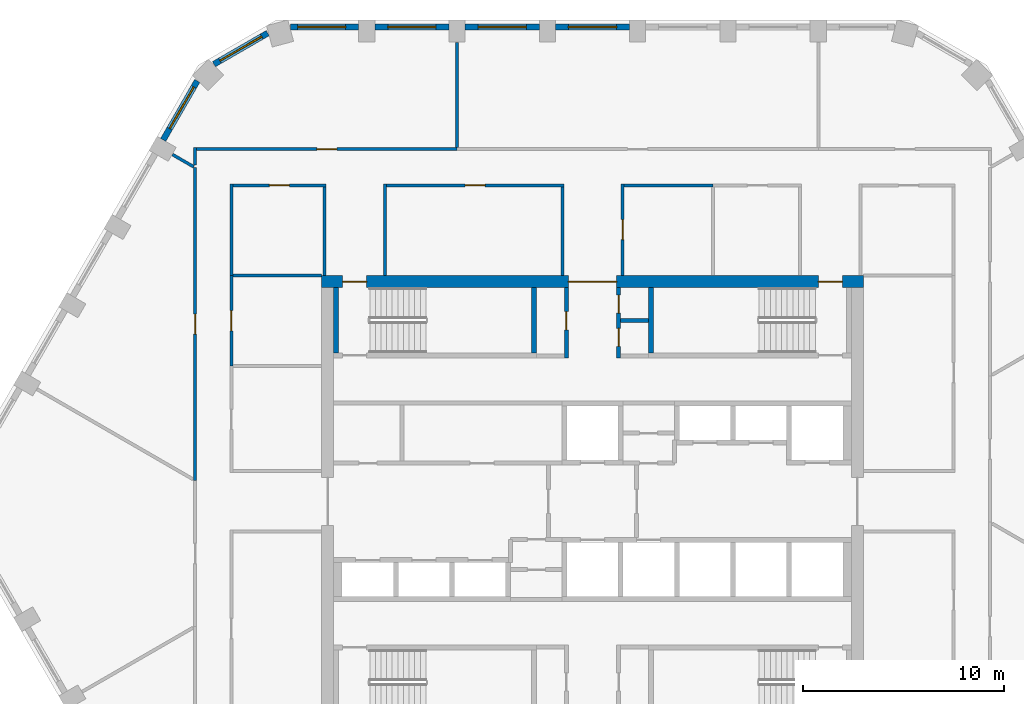
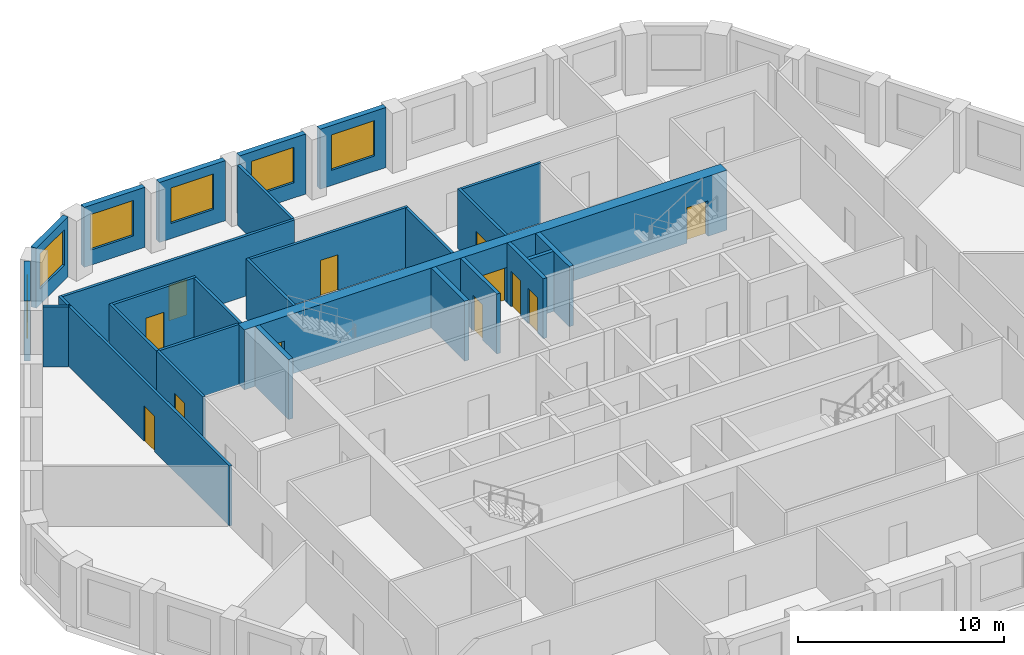
# One storey, part 6 of 9: 28 walls, 12 doors, 6 windows, 18 openings.
"""IFC4 building model written with IfcOpenShell, lengths in metres."""

from ifc_helpers import new_model, si_unit, direction, frame, frame_2d, origin, place, context, subcontext, project, spatial, rectangle, extrude, material, layer, layer_set, type_object, element, fill, save


model = new_model("IFC4")

# Units and contexts
model_context = context("Model", 3, precision=1e-05, world=origin(), true_north=direction((0.0, 1.0)))
body_context = subcontext(model_context, "Body", "Model", "MODEL_VIEW")
ifc_project = project(units=[si_unit("LENGTHUNIT", "METRE"), si_unit("AREAUNIT", "SQUARE_METRE"), si_unit("VOLUMEUNIT", "CUBIC_METRE"), si_unit("PLANEANGLEUNIT", "RADIAN"), si_unit("MASSUNIT", "GRAM", prefix="KILO")], contexts=[model_context])

# Site, building, storey
site_placement = place(None, origin())
site = spatial("IfcSite", under=ifc_project, at=site_placement, CompositionType="ELEMENT")
building_placement = place(site_placement, origin())
building = spatial("IfcBuilding", under=site, at=building_placement, Name="Dhurran Vertical Campus", CompositionType="ELEMENT")
storey_placement = place(building_placement, frame((0.0, 0.0, 195.60009765625)))
storey = spatial("IfcBuildingStorey", under=building, at=storey_placement, Name="L48", CompositionType="ELEMENT", Elevation=195.60009765625)

# Wall, opening, window
ifc_material_1 = material(Name="Precast concrete C50/60", Category="concrete")
ifc_layer_1 = layer(ifc_material_1, 0.300048828125)
ifc_layer_set_1 = layer_set([ifc_layer_1], Name="Precast concrete C50/60")
wall_type_1 = type_object("IfcWallType", Name="Precast spandrel wall 300", PredefinedType="SOLIDWALL", material=ifc_layer_set_1)
wall_1_placement = place(storey_placement, frame((1.849609375, 23.635498046875, 0.0), z_axis=(0.0, 0.0, 1.0), x_axis=(-1.0, 0.0, 0.0)))
wall_1 = element("IfcWall", 1, at=wall_1_placement, inside=storey, type_object=wall_type_1, Name="EW1 L48.23", PredefinedType="SOLIDWALL", context=body_context, shape_type="SweptSolid", body=[
    extrude(rectangle(XDim=3.69921875, YDim=0.300048828125, at=frame_2d((1.849609375, 0.0))), origin(), (0.0, 0.0, 1.0), 3.5498046875),
])
opening_1_placement = place(wall_1_placement, frame((0.6494140625, 0.0, 0.89990234375)))
opening_1 = element("IfcOpeningElement", 2, at=opening_1_placement, cuts=wall_1, Name="Opening WT1", PredefinedType="OPENING", context=body_context, shape_type="SweptSolid", body=[
    extrude(rectangle(XDim=2.39990234375, YDim=2.10009765625, at=frame_2d((1.199951171875, 1.050048828125))), frame((0.0, 0.159912109375, 0.0), z_axis=(0.0, -1.0, 0.0), x_axis=(1.0, 0.0, 0.0)), (0.0, 0.0, 1.0), 0.320068359375),
])
ifc_material_2 = material(Name="Aluminium frame with solar-control glass", Category="aluminium")
window_type = type_object("IfcWindowType", Name="Punched window 2400 x 2100", PartitioningType="SINGLE_PANEL", PredefinedType="WINDOW", material=ifc_material_2)
window_1_placement = place(opening_1_placement, origin())
window_1 = element("IfcWindow", 3, at=window_1_placement, inside=storey, type_object=window_type, Name="WT1 L48.23", OverallHeight=2.10009765625, OverallWidth=2.39990234375, PartitioningType="SINGLE_PANEL", PredefinedType="WINDOW", context=body_context, shape_type="SweptSolid", body=[
    extrude(rectangle(XDim=2.39990234375, YDim=2.10009765625, at=frame_2d((1.199951171875, 1.050048828125))), frame((0.0, 0.030029296875, 0.0), z_axis=(0.0, -1.0, 0.0), x_axis=(1.0, 0.0, 0.0)), (0.0, 0.0, 1.0), 0.06005859375),
])
fill(opening_1, window_1)

wall_2_placement = place(storey_placement, frame((-2.650390625, 23.635498046875, 0.0), z_axis=(0.0, 0.0, 1.0), x_axis=(-1.0, 0.0, 0.0)))
wall_2 = element("IfcWall", 4, at=wall_2_placement, inside=storey, type_object=wall_type_1, Name="EW1 L48.24", PredefinedType="SOLIDWALL", context=body_context, shape_type="SweptSolid", body=[
    extrude(rectangle(XDim=3.69921875, YDim=0.300048828125, at=frame_2d((1.849609375, 0.0))), origin(), (0.0, 0.0, 1.0), 3.5498046875),
])
opening_2_placement = place(wall_2_placement, frame((0.6494140625, 0.0, 0.89990234375)))
opening_2 = element("IfcOpeningElement", 5, at=opening_2_placement, cuts=wall_2, Name="Opening WT1", PredefinedType="OPENING", context=body_context, shape_type="SweptSolid", body=[
    extrude(rectangle(XDim=2.39990234375, YDim=2.10009765625, at=frame_2d((1.199951171875, 1.050048828125))), frame((0.0, 0.159912109375, 0.0), z_axis=(0.0, -1.0, 0.0), x_axis=(1.0, 0.0, 0.0)), (0.0, 0.0, 1.0), 0.320068359375),
])
window_2_placement = place(opening_2_placement, origin())
window_2 = element("IfcWindow", 6, at=window_2_placement, inside=storey, type_object=window_type, Name="WT1 L48.24", OverallHeight=2.10009765625, OverallWidth=2.39990234375, PartitioningType="SINGLE_PANEL", PredefinedType="WINDOW", context=body_context, shape_type="SweptSolid", body=[
    extrude(rectangle(XDim=2.39990234375, YDim=2.10009765625, at=frame_2d((1.199951171875, 1.050048828125))), frame((0.0, 0.030029296875, 0.0), z_axis=(0.0, -1.0, 0.0), x_axis=(1.0, 0.0, 0.0)), (0.0, 0.0, 1.0), 0.06005859375),
])
fill(opening_2, window_2)

wall_3_placement = place(storey_placement, frame((-7.150390625, 23.635498046875, 0.0), z_axis=(0.0, 0.0, 1.0), x_axis=(-1.0, 0.0, 0.0)))
wall_3 = element("IfcWall", 7, at=wall_3_placement, inside=storey, type_object=wall_type_1, Name="EW1 L48.25", PredefinedType="SOLIDWALL", context=body_context, shape_type="SweptSolid", body=[
    extrude(rectangle(XDim=3.69921875, YDim=0.300048828125, at=frame_2d((1.849609375, 0.0))), origin(), (0.0, 0.0, 1.0), 3.5498046875),
])
opening_3_placement = place(wall_3_placement, frame((0.6494140625, 0.0, 0.89990234375)))
opening_3 = element("IfcOpeningElement", 8, at=opening_3_placement, cuts=wall_3, Name="Opening WT1", PredefinedType="OPENING", context=body_context, shape_type="SweptSolid", body=[
    extrude(rectangle(XDim=2.39990234375, YDim=2.10009765625, at=frame_2d((1.199951171875, 1.050048828125))), frame((0.0, 0.159912109375, 0.0), z_axis=(0.0, -1.0, 0.0), x_axis=(1.0, 0.0, 0.0)), (0.0, 0.0, 1.0), 0.320068359375),
])
window_3_placement = place(opening_3_placement, origin())
window_3 = element("IfcWindow", 9, at=window_3_placement, inside=storey, type_object=window_type, Name="WT1 L48.25", OverallHeight=2.10009765625, OverallWidth=2.39990234375, PartitioningType="SINGLE_PANEL", PredefinedType="WINDOW", context=body_context, shape_type="SweptSolid", body=[
    extrude(rectangle(XDim=2.39990234375, YDim=2.10009765625, at=frame_2d((1.199951171875, 1.050048828125))), frame((0.0, 0.030029296875, 0.0), z_axis=(0.0, -1.0, 0.0), x_axis=(1.0, 0.0, 0.0)), (0.0, 0.0, 1.0), 0.06005859375),
])
fill(opening_3, window_3)

wall_4_placement = place(storey_placement, frame((-11.650390625, 23.635498046875, 0.0), z_axis=(0.0, 0.0, 1.0), x_axis=(-1.0, 0.0, 0.0)))
wall_4 = element("IfcWall", 10, at=wall_4_placement, inside=storey, type_object=wall_type_1, Name="EW1 L48.26", PredefinedType="SOLIDWALL", context=body_context, shape_type="SweptSolid", body=[
    extrude(rectangle(XDim=3.39599609375, YDim=0.300048828125, at=frame_2d((1.697998046875, 0.0))), origin(), (0.0, 0.0, 1.0), 3.5498046875),
])
opening_4_placement = place(wall_4_placement, frame((0.6494140625, 0.0, 0.89990234375)))
opening_4 = element("IfcOpeningElement", 11, at=opening_4_placement, cuts=wall_4, Name="Opening WT1", PredefinedType="OPENING", context=body_context, shape_type="SweptSolid", body=[
    extrude(rectangle(XDim=2.39990234375, YDim=2.10009765625, at=frame_2d((1.199951171875, 1.050048828125))), frame((0.0, 0.159912109375, 0.0), z_axis=(0.0, -1.0, 0.0), x_axis=(1.0, 0.0, 0.0)), (0.0, 0.0, 1.0), 0.320068359375),
])
window_4_placement = place(opening_4_placement, origin())
window_4 = element("IfcWindow", 12, at=window_4_placement, inside=storey, type_object=window_type, Name="WT1 L48.26", OverallHeight=2.10009765625, OverallWidth=2.39990234375, PartitioningType="SINGLE_PANEL", PredefinedType="WINDOW", context=body_context, shape_type="SweptSolid", body=[
    extrude(rectangle(XDim=2.39990234375, YDim=2.10009765625, at=frame_2d((1.199951171875, 1.050048828125))), frame((0.0, 0.030029296875, 0.0), z_axis=(0.0, -1.0, 0.0), x_axis=(1.0, 0.0, 0.0)), (0.0, 0.0, 1.0), 0.06005859375),
])
fill(opening_4, window_4)

wall_5_placement = place(storey_placement, frame((-16.184326171875, 23.330810546875, 0.0), z_axis=(0.0, 0.0, 1.0), x_axis=(-0.865994975416, -0.500052699777, 0.0)))
wall_5 = element("IfcWall", 13, at=wall_5_placement, inside=storey, type_object=wall_type_1, Name="EW1 L48.27", PredefinedType="SOLIDWALL", context=body_context, shape_type="SweptSolid", body=[
    extrude(rectangle(XDim=3.093017578125, YDim=0.300048828125, at=frame_2d((1.54638671875, 0.0))), origin(), (0.0, 0.0, 1.0), 3.5498046875),
])
opening_5_placement = place(wall_5_placement, frame((0.346435546875, 0.0, 0.89990234375)))
opening_5 = element("IfcOpeningElement", 14, at=opening_5_placement, cuts=wall_5, Name="Opening WT1", PredefinedType="OPENING", context=body_context, shape_type="SweptSolid", body=[
    extrude(rectangle(XDim=2.39990234375, YDim=2.10009765625, at=frame_2d((1.199951171875, 1.050048828125))), frame((0.0, 0.159912109375, 0.0), z_axis=(0.0, -1.0, 0.0), x_axis=(1.0, 0.0, 0.0)), (0.0, 0.0, 1.0), 0.320068359375),
])
window_5_placement = place(opening_5_placement, origin())
window_5 = element("IfcWindow", 15, at=window_5_placement, inside=storey, type_object=window_type, Name="WT1 L48.27", OverallHeight=2.10009765625, OverallWidth=2.39990234375, PartitioningType="SINGLE_PANEL", PredefinedType="WINDOW", context=body_context, shape_type="SweptSolid", body=[
    extrude(rectangle(XDim=2.39990234375, YDim=2.10009765625, at=frame_2d((1.199951171875, 1.050048828125))), frame((0.0, 0.030029296875, 0.0), z_axis=(0.0, -1.0, 0.0), x_axis=(1.0, 0.0, 0.0)), (0.0, 0.0, 1.0), 0.06005859375),
])
fill(opening_5, window_5)

wall_6_placement = place(storey_placement, frame((-19.69580078125, 20.951171875, 0.0), z_axis=(0.0, 0.0, 1.0), x_axis=(-0.500012868213, -0.866017974191, 0.0)))
wall_6 = element("IfcWall", 16, at=wall_6_placement, inside=storey, type_object=wall_type_1, Name="EW1 L48.28", PredefinedType="SOLIDWALL", context=body_context, shape_type="SweptSolid", body=[
    extrude(rectangle(XDim=3.39599609375, YDim=0.300048828125, at=frame_2d((1.697998046875, 0.0))), origin(), (0.0, 0.0, 1.0), 3.5498046875),
])
opening_6_placement = place(wall_6_placement, frame((0.346435546875, 0.0, 0.89990234375)))
opening_6 = element("IfcOpeningElement", 17, at=opening_6_placement, cuts=wall_6, Name="Opening WT1", PredefinedType="OPENING", context=body_context, shape_type="SweptSolid", body=[
    extrude(rectangle(XDim=2.39990234375, YDim=2.10009765625, at=frame_2d((1.199951171875, 1.050048828125))), frame((0.0, 0.159912109375, 0.0), z_axis=(0.0, -1.0, 0.0), x_axis=(1.0, 0.0, 0.0)), (0.0, 0.0, 1.0), 0.320068359375),
])
window_6_placement = place(opening_6_placement, origin())
window_6 = element("IfcWindow", 18, at=window_6_placement, inside=storey, type_object=window_type, Name="WT1 L48.28", OverallHeight=2.10009765625, OverallWidth=2.39990234375, PartitioningType="SINGLE_PANEL", PredefinedType="WINDOW", context=body_context, shape_type="SweptSolid", body=[
    extrude(rectangle(XDim=2.39990234375, YDim=2.10009765625, at=frame_2d((1.199951171875, 1.050048828125))), frame((0.0, 0.030029296875, 0.0), z_axis=(0.0, -1.0, 0.0), x_axis=(1.0, 0.0, 0.0)), (0.0, 0.0, 1.0), 0.06005859375),
])
fill(opening_6, window_6)

# Wall, openings, doors
ifc_material_3 = material(Name="Concrete C50/60", Category="concrete")
ifc_layer_2 = layer(ifc_material_3, 0.60009765625)
ifc_layer_set_2 = layer_set([ifc_layer_2], Name="Concrete C50/60")
wall_type_2 = type_object("IfcWallType", Name="co-CORE-WALL-C2-600", PredefinedType="SHEAR", material=ifc_layer_set_2)
wall_7_placement = place(storey_placement, frame((-13.5, 10.949951171875, 0.0), z_axis=(0.0, 0.0, 1.0), x_axis=(1.0, 0.0, 0.0)))
wall_7 = element("IfcWall", 19, at=wall_7_placement, inside=storey, type_object=wall_type_2, Name="Core wall N L48", PredefinedType="SHEAR", context=body_context, shape_type="SweptSolid", body=[
    extrude(rectangle(XDim=27.0, YDim=0.60009765625, at=frame_2d((13.5, 0.0))), origin(), (0.0, 0.0, 1.0), 3.5498046875),
])
opening_7_placement = place(wall_7_placement, frame((12.300048828125, 0.0, 0.0)))
opening_7 = element("IfcOpeningElement", 20, at=opening_7_placement, cuts=wall_7, Name="Opening CV1", PredefinedType="OPENING", context=body_context, shape_type="SweptSolid", body=[
    extrude(rectangle(XDim=2.39990234375, YDim=2.10009765625, at=frame_2d((1.199951171875, 1.050048828125))), frame((0.0, 0.31005859375, 0.0), z_axis=(0.0, -1.0, 0.0), x_axis=(1.0, 0.0, 0.0)), (0.0, 0.0, 1.0), 0.6201171875),
])
opening_8_placement = place(wall_7_placement, frame((1.050048828125, 0.0, 0.0)))
opening_8 = element("IfcOpeningElement", 21, at=opening_8_placement, cuts=wall_7, Name="Opening XD1", PredefinedType="OPENING", context=body_context, shape_type="SweptSolid", body=[
    extrude(rectangle(XDim=1.199951171875, YDim=2.10009765625, at=frame_2d((0.60009765625, 1.050048828125))), frame((0.0, 0.31005859375, 0.0), z_axis=(0.0, -1.0, 0.0), x_axis=(1.0, 0.0, 0.0)), (0.0, 0.0, 1.0), 0.6201171875),
])
opening_9_placement = place(wall_7_placement, frame((24.75, 0.0, 0.0)))
opening_9 = element("IfcOpeningElement", 22, at=opening_9_placement, cuts=wall_7, Name="Opening XD2", PredefinedType="OPENING", context=body_context, shape_type="SweptSolid", body=[
    extrude(rectangle(XDim=1.199951171875, YDim=2.10009765625, at=frame_2d((0.60009765625, 1.050048828125))), frame((0.0, 0.31005859375, 0.0), z_axis=(0.0, -1.0, 0.0), x_axis=(1.0, 0.0, 0.0)), (0.0, 0.0, 1.0), 0.6201171875),
])
ifc_material_4 = material(Name="Fire-rated glazed door set")
door_type_1 = type_object("IfcDoorType", Name="co-D-LOBBY 2400x2100", OperationType="DOUBLE_DOOR_DOUBLE_SWING", PredefinedType="DOOR", material=ifc_material_4)
door_1_placement = place(opening_7_placement, origin())
door_1 = element("IfcDoor", 23, at=door_1_placement, inside=storey, type_object=door_type_1, Name="Core vestibule door N L48", OperationType="DOUBLE_DOOR_DOUBLE_SWING", OverallHeight=2.10009765625, OverallWidth=2.39990234375, PredefinedType="DOOR", context=body_context, shape_type="SweptSolid", body=[
    extrude(rectangle(XDim=2.39990234375, YDim=2.10009765625, at=frame_2d((1.199951171875, 1.050048828125))), frame((0.0, 0.02490234375, 0.0), z_axis=(0.0, -1.0, 0.0), x_axis=(1.0, 0.0, 0.0)), (0.0, 0.0, 1.0), 0.050048828125),
])
fill(opening_7, door_1)
ifc_material_5 = material(Name="Fire-rated steel door set", Category="steel")
door_type_2 = type_object("IfcDoorType", Name="co-D-STAIR-EXIT 1200x2100", OperationType="SINGLE_SWING_RIGHT", PredefinedType="DOOR", material=ifc_material_5)
door_2_placement = place(opening_8_placement, origin())
door_2 = element("IfcDoor", 24, at=door_2_placement, inside=storey, type_object=door_type_2, Name="Stair ST1 exit door L48", OperationType="SINGLE_SWING_RIGHT", OverallHeight=2.10009765625, OverallWidth=1.199951171875, PredefinedType="DOOR", context=body_context, shape_type="SweptSolid", body=[
    extrude(rectangle(XDim=1.199951171875, YDim=2.10009765625, at=frame_2d((0.60009765625, 1.050048828125))), frame((0.0, 0.02490234375, 0.0), z_axis=(0.0, -1.0, 0.0), x_axis=(1.0, 0.0, 0.0)), (0.0, 0.0, 1.0), 0.050048828125),
])
fill(opening_8, door_2)
door_3_placement = place(opening_9_placement, origin())
door_3 = element("IfcDoor", 25, at=door_3_placement, inside=storey, type_object=door_type_2, Name="Stair ST2 exit door L48", OperationType="SINGLE_SWING_RIGHT", OverallHeight=2.10009765625, OverallWidth=1.199951171875, PredefinedType="DOOR", context=body_context, shape_type="SweptSolid", body=[
    extrude(rectangle(XDim=1.199951171875, YDim=2.10009765625, at=frame_2d((0.60009765625, 1.050048828125))), frame((0.0, 0.02490234375, 0.0), z_axis=(0.0, -1.0, 0.0), x_axis=(1.0, 0.0, 0.0)), (0.0, 0.0, 1.0), 0.050048828125),
])
fill(opening_9, door_3)

# Wall
ifc_material_6 = material(Name="Fire-rated masonry blockwork", Category="masonry")
ifc_layer_3 = layer(ifc_material_6, 0.199951171875)
ifc_layer_set_3 = layer_set([ifc_layer_3], Name="Fire-rated masonry blockwork")
wall_type_3 = type_object("IfcWallType", Name="co-FIRE-PARTITION-200", PredefinedType="PARTITIONING", material=ifc_layer_set_3)
wall_8_placement = place(storey_placement, frame((1.39990234375, 9.0, 0.0), z_axis=(0.0, 0.0, 1.0), x_axis=(1.0, 0.0, 0.0)))
element("IfcWall", 26, at=wall_8_placement, inside=storey, type_object=wall_type_3, Name="Core partition sl-NE-cut0 L48", PredefinedType="PARTITIONING", context=body_context, shape_type="SweptSolid", body=[
    extrude(rectangle(XDim=1.400146484375, YDim=0.199951171875, at=frame_2d((0.7001953125, 0.0))), origin(), (0.0, 0.0, 1.0), 3.5498046875),
])

# Wall, opening, door
wall_9_placement = place(storey_placement, frame((-1.300048828125, 7.14990234375, 0.0), z_axis=(0.0, 0.0, 1.0), x_axis=(0.0, 1.0, 0.0)))
wall_9 = element("IfcWall", 27, at=wall_9_placement, inside=storey, type_object=wall_type_3, Name="Core partition vest-NW L48", PredefinedType="PARTITIONING", context=body_context, shape_type="SweptSolid", body=[
    extrude(rectangle(XDim=3.5, YDim=0.199951171875, at=frame_2d((1.75, 0.0))), origin(), (0.0, 0.0, 1.0), 3.5498046875),
])
opening_10_placement = place(wall_9_placement, frame((1.39990234375, 0.0, 0.0)))
opening_10 = element("IfcOpeningElement", 28, at=opening_10_placement, cuts=wall_9, Name="Opening T14-C3", PredefinedType="OPENING", context=body_context, shape_type="SweptSolid", body=[
    extrude(rectangle(XDim=0.89990234375, YDim=2.10009765625, at=frame_2d((0.449951171875, 1.050048828125))), frame((0.0, 0.10986328125, 0.0), z_axis=(0.0, -1.0, 0.0), x_axis=(1.0, 0.0, 0.0)), (0.0, 0.0, 1.0), 0.219970703125),
])
ifc_material_7 = material(Name="Fire-rated timber door set", Category="wood")
door_type_3 = type_object("IfcDoorType", Name="co-D-ROOM 900x2100", OperationType="SINGLE_SWING_LEFT", PredefinedType="DOOR", material=ifc_material_7)
door_4_placement = place(opening_10_placement, origin())
door_4 = element("IfcDoor", 29, at=door_4_placement, inside=storey, type_object=door_type_3, Name="Cleaner's store door L48", OperationType="SINGLE_SWING_LEFT", OverallHeight=2.10009765625, OverallWidth=0.89990234375, PredefinedType="DOOR", context=body_context, shape_type="SweptSolid", body=[
    extrude(rectangle(XDim=0.89990234375, YDim=2.10009765625, at=frame_2d((0.449951171875, 1.050048828125))), frame((0.0, 0.02490234375, 0.0), z_axis=(0.0, -1.0, 0.0), x_axis=(1.0, 0.0, 0.0)), (0.0, 0.0, 1.0), 0.050048828125),
])
fill(opening_10, door_4)

# Wall, openings, doors
wall_10_placement = place(storey_placement, frame((1.300048828125, 7.14990234375, 0.0), z_axis=(0.0, 0.0, 1.0), x_axis=(0.0, 1.0, 0.0)))
wall_10 = element("IfcWall", 30, at=wall_10_placement, inside=storey, type_object=wall_type_3, Name="Core partition vest-NE L48", PredefinedType="PARTITIONING", context=body_context, shape_type="SweptSolid", body=[
    extrude(rectangle(XDim=3.5, YDim=0.199951171875, at=frame_2d((1.75, 0.0))), origin(), (0.0, 0.0, 1.0), 3.5498046875),
])
opening_11_placement = place(wall_10_placement, frame((0.574951171875, 0.0, 0.0)))
opening_11 = element("IfcOpeningElement", 31, at=opening_11_placement, cuts=wall_10, Name="Opening T14-C4", PredefinedType="OPENING", context=body_context, shape_type="SweptSolid", body=[
    extrude(rectangle(XDim=0.89990234375, YDim=2.10009765625, at=frame_2d((0.449951171875, 1.050048828125))), frame((0.0, 0.10986328125, 0.0), z_axis=(0.0, -1.0, 0.0), x_axis=(1.0, 0.0, 0.0)), (0.0, 0.0, 1.0), 0.219970703125),
])
opening_12_placement = place(wall_10_placement, frame((2.22509765625, 0.0, 0.0)))
opening_12 = element("IfcOpeningElement", 32, at=opening_12_placement, cuts=wall_10, Name="Opening T14-C5", PredefinedType="OPENING", context=body_context, shape_type="SweptSolid", body=[
    extrude(rectangle(XDim=0.89990234375, YDim=2.10009765625, at=frame_2d((0.449951171875, 1.050048828125))), frame((0.0, 0.10986328125, 0.0), z_axis=(0.0, -1.0, 0.0), x_axis=(1.0, 0.0, 0.0)), (0.0, 0.0, 1.0), 0.219970703125),
])
door_5_placement = place(opening_11_placement, origin())
door_5 = element("IfcDoor", 33, at=door_5_placement, inside=storey, type_object=door_type_3, Name="Pantry door L48", OperationType="SINGLE_SWING_LEFT", OverallHeight=2.10009765625, OverallWidth=0.89990234375, PredefinedType="DOOR", context=body_context, shape_type="SweptSolid", body=[
    extrude(rectangle(XDim=0.89990234375, YDim=2.10009765625, at=frame_2d((0.449951171875, 1.050048828125))), frame((0.0, 0.02490234375, 0.0), z_axis=(0.0, -1.0, 0.0), x_axis=(1.0, 0.0, 0.0)), (0.0, 0.0, 1.0), 0.050048828125),
])
fill(opening_11, door_5)
door_6_placement = place(opening_12_placement, origin())
door_6 = element("IfcDoor", 34, at=door_6_placement, inside=storey, type_object=door_type_3, Name="Plant room door L48", OperationType="SINGLE_SWING_LEFT", OverallHeight=2.10009765625, OverallWidth=0.89990234375, PredefinedType="DOOR", context=body_context, shape_type="SweptSolid", body=[
    extrude(rectangle(XDim=0.89990234375, YDim=2.10009765625, at=frame_2d((0.449951171875, 1.050048828125))), frame((0.0, 0.02490234375, 0.0), z_axis=(0.0, -1.0, 0.0), x_axis=(1.0, 0.0, 0.0)), (0.0, 0.0, 1.0), 0.050048828125),
])
fill(opening_12, door_6)

# Walls
ifc_material_8 = material(Name="Concrete C40/50", Category="concrete")
ifc_layer_4 = layer(ifc_material_8, 0.25)
ifc_layer_set_4 = layer_set([ifc_layer_4], Name="Concrete C40/50")
wall_type_4 = type_object("IfcWallType", Name="co-STAIR-WALL-250", PredefinedType="SHEAR", material=ifc_layer_set_4)
for number, where, z_axis, x_axis, name in (
    (35, (-12.77490234375, 7.39990234375, 0.0), (0.0, 0.0, 1.0), (0.0, 1.0, 0.0), "Stair ST1 enclosure wall L48"),
    (36, (-2.925048828125, 7.39990234375, 0.0), (0.0, 0.0, 1.0), (0.0, 1.0, 0.0), "Stair ST1 enclosure wall L48"),
    (37, (2.925048828125, 7.39990234375, 0.0), (0.0, 0.0, 1.0), (0.0, 1.0, 0.0), "Stair ST2 enclosure wall L48"),
):
    element("IfcWall", number, at=place(storey_placement, frame(where, z_axis=z_axis, x_axis=x_axis)), inside=storey, type_object=wall_type_4, Name=name, PredefinedType="SHEAR", context=body_context, shape_type="SweptSolid", body=[
        extrude(rectangle(XDim=3.25, YDim=0.25, at=frame_2d((1.625, 0.0))), origin(), (0.0, 0.0, 1.0), 3.5498046875),
    ])

# Wall, opening, door
ifc_material_9 = material(Name="Gypsum board corridor wall on steel studs", Category="steel")
ifc_layer_5 = layer(ifc_material_9, 0.14990234375)
ifc_layer_set_5 = layer_set([ifc_layer_5], Name="Gypsum board corridor wall on steel studs")
wall_type_5 = type_object("IfcWallType", Name="fl-CW-150 corridor wall", PredefinedType="PARTITIONING", material=ifc_layer_set_5)
wall_11_placement = place(storey_placement, frame((-19.800048828125, 16.6279296875, 0.0), z_axis=(0.0, 0.0, 1.0), x_axis=(0.0, -1.0, 0.0)))
wall_11 = element("IfcWall", 38, at=wall_11_placement, inside=storey, type_object=wall_type_5, Name="Partition 48-09", PredefinedType="PARTITIONING", context=body_context, shape_type="SweptSolid", body=[
    extrude(rectangle(XDim=15.5888671875, YDim=0.14990234375, at=frame_2d((7.79443359375, 0.0))), origin(), (0.0, 0.0, 1.0), 3.5498046875),
])
opening_13_placement = place(wall_11_placement, frame((7.29443359375, 0.0, 0.0)))
opening_13 = element("IfcOpeningElement", 39, at=opening_13_placement, cuts=wall_11, Name="Opening T14.02", PredefinedType="OPENING", context=body_context, shape_type="SweptSolid", body=[
    extrude(rectangle(XDim=1.0, YDim=2.10009765625, at=frame_2d((0.5, 1.050048828125))), frame((0.0, 0.0849609375, 0.0), z_axis=(0.0, -1.0, 0.0), x_axis=(1.0, 0.0, 0.0)), (0.0, 0.0, 1.0), 0.169921875),
])
ifc_material_10 = material(Name="Solid-core timber door set, fire-rated", Category="wood")
door_type_4 = type_object("IfcDoorType", Name="fl-D-1000x2100", OperationType="SINGLE_SWING_LEFT", PredefinedType="DOOR", material=ifc_material_10)
door_7_placement = place(opening_13_placement, origin())
door_7 = element("IfcDoor", 40, at=door_7_placement, inside=storey, type_object=door_type_4, Name="Door 48.02", OperationType="SINGLE_SWING_RIGHT", OverallHeight=2.10009765625, OverallWidth=1.0, PredefinedType="DOOR", context=body_context, shape_type="SweptSolid", body=[
    extrude(rectangle(XDim=1.0, YDim=2.10009765625, at=frame_2d((0.5, 1.050048828125))), frame((0.0, 0.02490234375, 0.0), z_axis=(0.0, -1.0, 0.0), x_axis=(1.0, 0.0, 0.0)), (0.0, 0.0, 1.0), 0.050048828125),
])
fill(opening_13, door_7)

# Wall
wall_12_placement = place(storey_placement, frame((-19.800048828125, 17.625, 0.0), z_axis=(0.0, 0.0, 1.0), x_axis=(0.0, -1.0, 0.0)))
element("IfcWall", 41, at=wall_12_placement, inside=storey, type_object=wall_type_5, Name="Partition 48-10", PredefinedType="PARTITIONING", context=body_context, shape_type="SweptSolid", body=[
    extrude(rectangle(XDim=0.866943359375, YDim=0.14990234375, at=frame_2d((0.43359375, 0.0))), origin(), (0.0, 0.0, 1.0), 3.5498046875),
])

# Wall, opening, door
wall_13_placement = place(storey_placement, frame((-6.75, 17.550048828125, 0.0), z_axis=(0.0, 0.0, 1.0), x_axis=(-1.0, 0.0, 0.0)))
wall_13 = element("IfcWall", 42, at=wall_13_placement, inside=storey, type_object=wall_type_5, Name="Partition 48-11", PredefinedType="PARTITIONING", context=body_context, shape_type="SweptSolid", body=[
    extrude(rectangle(XDim=12.97509765625, YDim=0.14990234375, at=frame_2d((6.487548828125, 0.0))), origin(), (0.0, 0.0, 1.0), 3.5498046875),
])
opening_14_placement = place(wall_13_placement, frame((5.987548828125, 0.0, 0.0)))
opening_14 = element("IfcOpeningElement", 43, at=opening_14_placement, cuts=wall_13, Name="Opening T14.10", PredefinedType="OPENING", context=body_context, shape_type="SweptSolid", body=[
    extrude(rectangle(XDim=1.0, YDim=2.10009765625, at=frame_2d((0.5, 1.050048828125))), frame((0.0, 0.0849609375, 0.0), z_axis=(0.0, -1.0, 0.0), x_axis=(1.0, 0.0, 0.0)), (0.0, 0.0, 1.0), 0.169921875),
])
door_8_placement = place(opening_14_placement, origin())
door_8 = element("IfcDoor", 44, at=door_8_placement, inside=storey, type_object=door_type_4, Name="Door 48.10", OperationType="SINGLE_SWING_LEFT", OverallHeight=2.10009765625, OverallWidth=1.0, PredefinedType="DOOR", context=body_context, shape_type="SweptSolid", body=[
    extrude(rectangle(XDim=1.0, YDim=2.10009765625, at=frame_2d((0.5, 1.050048828125))), frame((0.0, 0.02490234375, 0.0), z_axis=(0.0, -1.0, 0.0), x_axis=(1.0, 0.0, 0.0)), (0.0, 0.0, 1.0), 0.050048828125),
])
fill(opening_14, door_8)

wall_14_placement = place(storey_placement, frame((-18.0, 6.75, 0.0), z_axis=(0.0, 0.0, 1.0), x_axis=(0.0, 1.0, 0.0)))
wall_14 = element("IfcWall", 45, at=wall_14_placement, inside=storey, type_object=wall_type_5, Name="Partition 48-19", PredefinedType="PARTITIONING", context=body_context, shape_type="SweptSolid", body=[
    extrude(rectangle(XDim=4.5, YDim=0.14990234375, at=frame_2d((2.25, 0.0))), origin(), (0.0, 0.0, 1.0), 3.5498046875),
])
opening_15_placement = place(wall_14_placement, frame((1.75, 0.0, 0.0)))
opening_15 = element("IfcOpeningElement", 46, at=opening_15_placement, cuts=wall_14, Name="Opening T14.06", PredefinedType="OPENING", context=body_context, shape_type="SweptSolid", body=[
    extrude(rectangle(XDim=1.0, YDim=2.10009765625, at=frame_2d((0.5, 1.050048828125))), frame((0.0, 0.0849609375, 0.0), z_axis=(0.0, -1.0, 0.0), x_axis=(1.0, 0.0, 0.0)), (0.0, 0.0, 1.0), 0.169921875),
])
door_9_placement = place(opening_15_placement, origin())
door_9 = element("IfcDoor", 47, at=door_9_placement, inside=storey, type_object=door_type_4, Name="Door 48.06", OperationType="SINGLE_SWING_RIGHT", OverallHeight=2.10009765625, OverallWidth=1.0, PredefinedType="DOOR", context=body_context, shape_type="SweptSolid", body=[
    extrude(rectangle(XDim=1.0, YDim=2.10009765625, at=frame_2d((0.5, 1.050048828125))), frame((0.0, 0.02490234375, 0.0), z_axis=(0.0, -1.0, 0.0), x_axis=(1.0, 0.0, 0.0)), (0.0, 0.0, 1.0), 0.050048828125),
])
fill(opening_15, door_9)

# Wall
wall_15_placement = place(storey_placement, frame((-18.0, 11.25, 0.0), z_axis=(0.0, 0.0, 1.0), x_axis=(0.0, 1.0, 0.0)))
element("IfcWall", 48, at=wall_15_placement, inside=storey, type_object=wall_type_5, Name="Partition 48-21", PredefinedType="PARTITIONING", context=body_context, shape_type="SweptSolid", body=[
    extrude(rectangle(XDim=4.574951171875, YDim=0.14990234375, at=frame_2d((2.28759765625, 0.0))), origin(), (0.0, 0.0, 1.0), 3.5498046875),
])

# Wall, opening, door
wall_16_placement = place(storey_placement, frame((-17.925048828125, 15.75, 0.0), z_axis=(0.0, 0.0, 1.0), x_axis=(1.0, 0.0, 0.0)))
wall_16 = element("IfcWall", 49, at=wall_16_placement, inside=storey, type_object=wall_type_5, Name="Partition 48-23", PredefinedType="PARTITIONING", context=body_context, shape_type="SweptSolid", body=[
    extrude(rectangle(XDim=4.650146484375, YDim=0.14990234375, at=frame_2d((2.3251953125, 0.0))), origin(), (0.0, 0.0, 1.0), 3.5498046875),
])
opening_16_placement = place(wall_16_placement, frame((1.824951171875, 0.0, 0.0)))
opening_16 = element("IfcOpeningElement", 50, at=opening_16_placement, cuts=wall_16, Name="Opening T14.08", PredefinedType="OPENING", context=body_context, shape_type="SweptSolid", body=[
    extrude(rectangle(XDim=1.0, YDim=2.10009765625, at=frame_2d((0.5, 1.050048828125))), frame((0.0, 0.0849609375, 0.0), z_axis=(0.0, -1.0, 0.0), x_axis=(1.0, 0.0, 0.0)), (0.0, 0.0, 1.0), 0.169921875),
])
door_10_placement = place(opening_16_placement, origin())
door_10 = element("IfcDoor", 51, at=door_10_placement, inside=storey, type_object=door_type_4, Name="Door 48.08", OperationType="SINGLE_SWING_LEFT", OverallHeight=2.10009765625, OverallWidth=1.0, PredefinedType="DOOR", context=body_context, shape_type="SweptSolid", body=[
    extrude(rectangle(XDim=1.0, YDim=2.10009765625, at=frame_2d((0.5, 1.050048828125))), frame((0.0, 0.02490234375, 0.0), z_axis=(0.0, -1.0, 0.0), x_axis=(1.0, 0.0, 0.0)), (0.0, 0.0, 1.0), 0.050048828125),
])
fill(opening_16, door_10)

# Walls
wall_17_placement = place(storey_placement, frame((-13.35009765625, 15.675048828125, 0.0), z_axis=(0.0, 0.0, 1.0), x_axis=(0.0, -1.0, 0.0)))
element("IfcWall", 52, at=wall_17_placement, inside=storey, type_object=wall_type_5, Name="Partition 48-25", PredefinedType="PARTITIONING", context=body_context, shape_type="SweptSolid", body=[
    extrude(rectangle(XDim=4.425048828125, YDim=0.14990234375, at=frame_2d((2.21240234375, 0.0))), origin(), (0.0, 0.0, 1.0), 3.5498046875),
])
wall_18_placement = place(storey_placement, frame((-10.35009765625, 11.25, 0.0), z_axis=(0.0, 0.0, 1.0), x_axis=(0.0, 1.0, 0.0)))
element("IfcWall", 53, at=wall_18_placement, inside=storey, type_object=wall_type_5, Name="Partition 48-28", PredefinedType="PARTITIONING", context=body_context, shape_type="SweptSolid", body=[
    extrude(rectangle(XDim=4.574951171875, YDim=0.14990234375, at=frame_2d((2.28759765625, 0.0))), origin(), (0.0, 0.0, 1.0), 3.5498046875),
])

# Wall, opening, door
wall_19_placement = place(storey_placement, frame((-10.27490234375, 15.75, 0.0), z_axis=(0.0, 0.0, 1.0), x_axis=(1.0, 0.0, 0.0)))
wall_19 = element("IfcWall", 54, at=wall_19_placement, inside=storey, type_object=wall_type_5, Name="Partition 48-29", PredefinedType="PARTITIONING", context=body_context, shape_type="SweptSolid", body=[
    extrude(rectangle(XDim=8.849853515625, YDim=0.14990234375, at=frame_2d((4.4248046875, 0.0))), origin(), (0.0, 0.0, 1.0), 3.5498046875),
])
opening_17_placement = place(wall_19_placement, frame((3.925048828125, 0.0, 0.0)))
opening_17 = element("IfcOpeningElement", 55, at=opening_17_placement, cuts=wall_19, Name="Opening T14.12", PredefinedType="OPENING", context=body_context, shape_type="SweptSolid", body=[
    extrude(rectangle(XDim=1.0, YDim=2.10009765625, at=frame_2d((0.5, 1.050048828125))), frame((0.0, 0.0849609375, 0.0), z_axis=(0.0, -1.0, 0.0), x_axis=(1.0, 0.0, 0.0)), (0.0, 0.0, 1.0), 0.169921875),
])
door_11_placement = place(opening_17_placement, origin())
door_11 = element("IfcDoor", 56, at=door_11_placement, inside=storey, type_object=door_type_4, Name="Door 48.12", OperationType="SINGLE_SWING_RIGHT", OverallHeight=2.10009765625, OverallWidth=1.0, PredefinedType="DOOR", context=body_context, shape_type="SweptSolid", body=[
    extrude(rectangle(XDim=1.0, YDim=2.10009765625, at=frame_2d((0.5, 1.050048828125))), frame((0.0, 0.02490234375, 0.0), z_axis=(0.0, -1.0, 0.0), x_axis=(1.0, 0.0, 0.0)), (0.0, 0.0, 1.0), 0.050048828125),
])
fill(opening_17, door_11)

# Wall
wall_20_placement = place(storey_placement, frame((-1.5, 15.675048828125, 0.0), z_axis=(0.0, 0.0, 1.0), x_axis=(0.0, -1.0, 0.0)))
element("IfcWall", 57, at=wall_20_placement, inside=storey, type_object=wall_type_5, Name="Partition 48-35", PredefinedType="PARTITIONING", context=body_context, shape_type="SweptSolid", body=[
    extrude(rectangle(XDim=4.425048828125, YDim=0.14990234375, at=frame_2d((2.21240234375, 0.0))), origin(), (0.0, 0.0, 1.0), 3.5498046875),
])

# Wall, opening, door
wall_21_placement = place(storey_placement, frame((1.5, 11.25, 0.0), z_axis=(0.0, 0.0, 1.0), x_axis=(0.0, 1.0, 0.0)))
wall_21 = element("IfcWall", 58, at=wall_21_placement, inside=storey, type_object=wall_type_5, Name="Partition 48-38", PredefinedType="PARTITIONING", context=body_context, shape_type="SweptSolid", body=[
    extrude(rectangle(XDim=4.574951171875, YDim=0.14990234375, at=frame_2d((2.28759765625, 0.0))), origin(), (0.0, 0.0, 1.0), 3.5498046875),
])
opening_18_placement = place(wall_21_placement, frame((1.78759765625, 0.0, 0.0)))
opening_18 = element("IfcOpeningElement", 59, at=opening_18_placement, cuts=wall_21, Name="Opening T14.15", PredefinedType="OPENING", context=body_context, shape_type="SweptSolid", body=[
    extrude(rectangle(XDim=1.0, YDim=2.10009765625, at=frame_2d((0.5, 1.050048828125))), frame((0.0, 0.0849609375, 0.0), z_axis=(0.0, -1.0, 0.0), x_axis=(1.0, 0.0, 0.0)), (0.0, 0.0, 1.0), 0.169921875),
])
door_12_placement = place(opening_18_placement, origin())
door_12 = element("IfcDoor", 60, at=door_12_placement, inside=storey, type_object=door_type_4, Name="Door 48.15", OperationType="SINGLE_SWING_LEFT", OverallHeight=2.10009765625, OverallWidth=1.0, PredefinedType="DOOR", context=body_context, shape_type="SweptSolid", body=[
    extrude(rectangle(XDim=1.0, YDim=2.10009765625, at=frame_2d((0.5, 1.050048828125))), frame((0.0, 0.02490234375, 0.0), z_axis=(0.0, -1.0, 0.0), x_axis=(1.0, 0.0, 0.0)), (0.0, 0.0, 1.0), 0.050048828125),
])
fill(opening_18, door_12)

# Walls
wall_22_placement = place(storey_placement, frame((1.574951171875, 15.75, 0.0), z_axis=(0.0, 0.0, 1.0), x_axis=(1.0, 0.0, 0.0)))
element("IfcWall", 61, at=wall_22_placement, inside=storey, type_object=wall_type_5, Name="Partition 48-39", PredefinedType="PARTITIONING", context=body_context, shape_type="SweptSolid", body=[
    extrude(rectangle(XDim=4.425048828125, YDim=0.14990234375, at=frame_2d((2.21240234375, 0.0))), origin(), (0.0, 0.0, 1.0), 3.5498046875),
])
ifc_material_11 = material(Name="Gypsum board partition on steel studs", Category="steel")
ifc_layer_6 = layer(ifc_material_11, 0.14990234375)
ifc_layer_set_6 = layer_set([ifc_layer_6], Name="Gypsum board partition on steel studs")
wall_type_6 = type_object("IfcWallType", Name="fl-PW-150 fixed partition", PredefinedType="PARTITIONING", material=ifc_layer_set_6)
wall_23_placement = place(storey_placement, frame((-20.92724609375, 17.2783203125, 0.0), z_axis=(0.0, 0.0, 1.0), x_axis=(0.866202157257, -0.499693728962, 0.0)))
element("IfcWall", 62, at=wall_23_placement, inside=storey, type_object=wall_type_6, Name="Partition 48-04", PredefinedType="PARTITIONING", context=body_context, shape_type="SweptSolid", body=[
    extrude(rectangle(XDim=1.226318359375, YDim=0.14990234375, at=frame_2d((0.61328125, 0.0))), origin(), (0.0, 0.0, 1.0), 3.5498046875),
])
wall_24_placement = place(storey_placement, frame((-17.925048828125, 11.25, 0.0), z_axis=(0.0, 0.0, 1.0), x_axis=(1.0, 0.0, 0.0)))
element("IfcWall", 63, at=wall_24_placement, inside=storey, type_object=wall_type_6, Name="Partition 48-22", PredefinedType="PARTITIONING", context=body_context, shape_type="SweptSolid", body=[
    extrude(rectangle(XDim=4.425048828125, YDim=0.14990234375, at=frame_2d((2.21240234375, 0.0))), origin(), (0.0, 0.0, 1.0), 3.5498046875),
])
wall_25_placement = place(storey_placement, frame((-6.75, 22.865478515625, 0.0), z_axis=(0.0, 0.0, 1.0), x_axis=(0.0, -1.0, 0.0)))
element("IfcWall", 64, at=wall_25_placement, inside=storey, type_object=wall_type_6, Name="Partition 48-32", PredefinedType="PARTITIONING", context=body_context, shape_type="SweptSolid", body=[
    extrude(rectangle(XDim=5.240478515625, YDim=0.14990234375, at=frame_2d((2.6201171875, 0.0))), origin(), (0.0, 0.0, 1.0), 3.5498046875),
])

save(model, "model.ifc")
